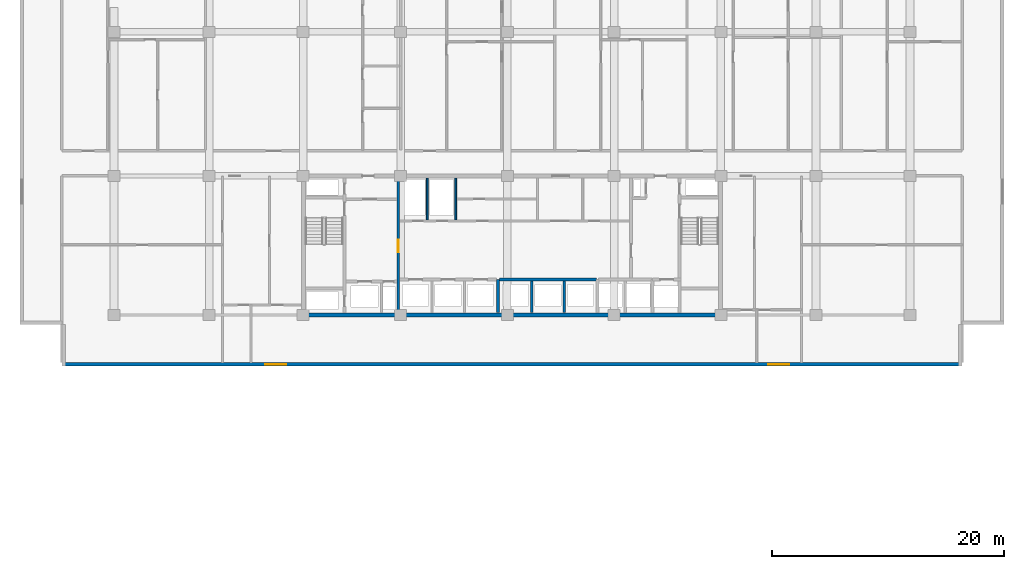
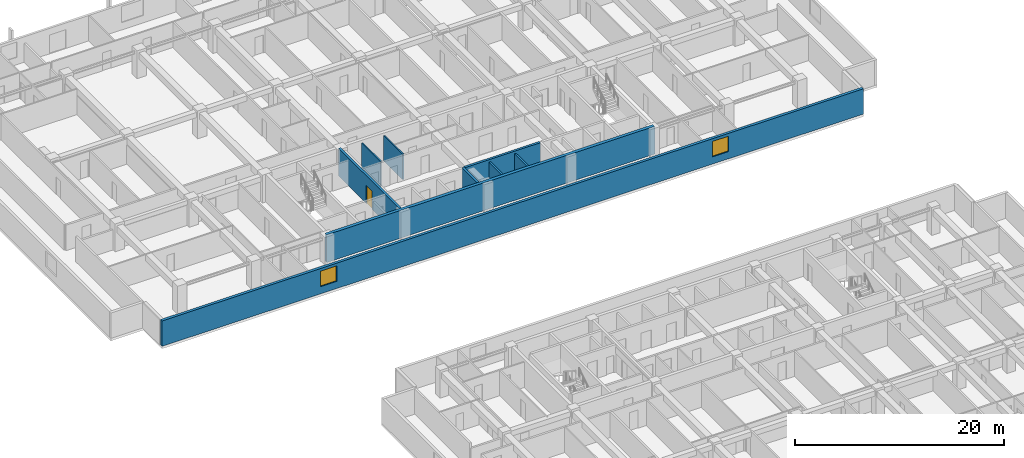
# One storey, part 11 of 23: 9 walls, 2 windows, 1 door, 3 openings.
"""IFC4 building model written with IfcOpenShell, lengths in metres."""

from ifc_helpers import new_model, si_unit, direction, frame, frame_2d, origin, place, context, subcontext, project, spatial, rectangle, extrude, material, layer, layer_set, type_object, element, fill, save


model = new_model("IFC4")

# Units and contexts
model_context = context("Model", 3, precision=1e-05, world=origin(), true_north=direction((0.0, 1.0)))
body_context = subcontext(model_context, "Body", "Model", "MODEL_VIEW")
ifc_project = project(units=[si_unit("LENGTHUNIT", "METRE"), si_unit("AREAUNIT", "SQUARE_METRE"), si_unit("VOLUMEUNIT", "CUBIC_METRE"), si_unit("PLANEANGLEUNIT", "RADIAN"), si_unit("MASSUNIT", "GRAM", prefix="KILO")], contexts=[model_context])

# Site, building, storey
site_placement = place(None, origin())
site = spatial("IfcSite", under=ifc_project, at=site_placement, CompositionType="ELEMENT")
building_placement = place(site_placement, origin())
building = spatial("IfcBuilding", under=site, at=building_placement, Name="Korimba Cascade Residences", CompositionType="ELEMENT")
storey_placement = place(building_placement, frame((0.0, 0.0, 33.75)))
storey = spatial("IfcBuildingStorey", under=building, at=storey_placement, Name="L08", CompositionType="ELEMENT", Elevation=33.75)

# Wall, openings, windows
ifc_material_1 = material(Name="Precast concrete C40/50", Category="concrete")
ifc_layer_1 = layer(ifc_material_1, 0.300048828125)
ifc_layer_set_1 = layer_set([ifc_layer_1], Name="Precast concrete C40/50")
wall_type_1 = type_object("IfcWallType", Name="EW-STONE-300", PredefinedType="STANDARD", material=ifc_layer_set_1)
wall_1_placement = place(storey_placement, frame((55.300048828125, 50.949951171875, 0.0), z_axis=(0.0, 0.0, 1.0), x_axis=(1.0, 0.0, 0.0)))
wall_1 = element("IfcWall", 1, at=wall_1_placement, inside=storey, type_object=wall_type_1, Name="L08 T1 Perimeter Stone Wall E00", PredefinedType="STANDARD", context=body_context, shape_type="SweptSolid", body=[
    extrude(rectangle(XDim=77.599853515625, YDim=0.300048828125, at=frame_2d((38.7998046875, 0.0))), origin(), (0.0, 0.0, 1.0), 2.969970703125),
])
opening_1_placement = place(wall_1_placement, frame((17.52490234375, 0.0, 0.85009765625)))
opening_1 = element("IfcOpeningElement", 2, at=opening_1_placement, cuts=wall_1, Name="Opening W-02", PredefinedType="OPENING", context=body_context, shape_type="SweptSolid", body=[
    extrude(rectangle(XDim=1.800048828125, YDim=1.800048828125, at=frame_2d((0.89990234375, 0.89990234375))), frame((0.0, 0.16015625, 0.0), z_axis=(0.0, -1.0, 0.0), x_axis=(1.0, 0.0, 0.0)), (0.0, 0.0, 1.0), 0.320068359375),
])
opening_2_placement = place(wall_1_placement, frame((60.875, 0.0, 0.85009765625)))
opening_2 = element("IfcOpeningElement", 3, at=opening_2_placement, cuts=wall_1, Name="Opening W-02", PredefinedType="OPENING", context=body_context, shape_type="SweptSolid", body=[
    extrude(rectangle(XDim=1.800048828125, YDim=1.800048828125, at=frame_2d((0.89990234375, 0.89990234375))), frame((0.0, 0.16015625, 0.0), z_axis=(0.0, -1.0, 0.0), x_axis=(1.0, 0.0, 0.0)), (0.0, 0.0, 1.0), 0.320068359375),
])
ifc_material_2 = material(Name="Double-Glazed Aluminium Window", Category="aluminium")
window_type = type_object("IfcWindowType", Name="WIN-BED-1800", PartitioningType="SINGLE_PANEL", PredefinedType="WINDOW", material=ifc_material_2)
window_1_placement = place(opening_1_placement, origin())
window_1 = element("IfcWindow", 4, at=window_1_placement, inside=storey, type_object=window_type, Name="L08 T1 South Corner Bedroom Window 1", OverallHeight=1.800048828125, OverallWidth=1.800048828125, PartitioningType="SINGLE_PANEL", PredefinedType="WINDOW", context=body_context, shape_type="SweptSolid", body=[
    extrude(rectangle(XDim=1.800048828125, YDim=1.800048828125, at=frame_2d((0.89990234375, 0.89990234375))), frame((0.0, 0.030029296875, 0.0), z_axis=(0.0, -1.0, 0.0), x_axis=(1.0, 0.0, 0.0)), (0.0, 0.0, 1.0), 0.06005859375),
])
fill(opening_1, window_1)
window_2_placement = place(opening_2_placement, origin())
window_2 = element("IfcWindow", 5, at=window_2_placement, inside=storey, type_object=window_type, Name="L08 T1 South Corner Bedroom Window 2", OverallHeight=1.800048828125, OverallWidth=1.800048828125, PartitioningType="SINGLE_PANEL", PredefinedType="WINDOW", context=body_context, shape_type="SweptSolid", body=[
    extrude(rectangle(XDim=1.800048828125, YDim=1.800048828125, at=frame_2d((0.89990234375, 0.89990234375))), frame((0.0, 0.030029296875, 0.0), z_axis=(0.0, -1.0, 0.0), x_axis=(1.0, 0.0, 0.0)), (0.0, 0.0, 1.0), 0.06005859375),
])
fill(opening_2, window_2)

# Walls
ifc_material_3 = material(Name="Concrete C65/80", Category="concrete")
ifc_layer_2 = layer(ifc_material_3, 0.35009765625)
ifc_layer_set_2 = layer_set([ifc_layer_2], Name="Concrete C65/80")
wall_type_2 = type_object("IfcWallType", Name="WAL-CORE-350", PredefinedType="SHEAR", material=ifc_layer_set_2)
wall_2_placement = place(storey_placement, frame((75.949951171875, 55.199951171875, 0.0), z_axis=(0.0, 0.0, 1.0), x_axis=(1.0, 0.0, 0.0)))
element("IfcWall", 6, at=wall_2_placement, inside=storey, type_object=wall_type_2, Name="L08 Core Shear Wall CW-L08-T1-S", PredefinedType="SHEAR", context=body_context, shape_type="SweptSolid", body=[
    extrude(rectangle(XDim=36.300048828125, YDim=0.35009765625, at=frame_2d((18.14990234375, 0.0))), origin(), (0.0, 0.0, 1.0), 3.25),
])
ifc_material_4 = material(Name="Insulated Acoustic Stud Partition", Category="gypsum")
ifc_layer_3 = layer(ifc_material_4, 0.14990234375)
ifc_layer_set_3 = layer_set([ifc_layer_3], Name="Insulated Acoustic Stud Partition")
wall_type_3 = type_object("IfcWallType", Name="WAL-PART-150", PredefinedType="PARTITIONING", material=ifc_layer_set_3)
for number, where, z_axis, x_axis, name in (
    (7, (86.800048828125, 63.39990234375, 0.0), (0.0, 0.0, 1.0), (0.0, 1.0, 0.0), "L08 Partition Wall CW-L08-T1-ERDIV"),
    (8, (89.25, 63.39990234375, 0.0), (0.0, 0.0, 1.0), (0.0, 1.0, 0.0), "L08 Partition Wall CW-L08-T1-PRDIV"),
):
    element("IfcWall", number, at=place(storey_placement, frame(where, z_axis=z_axis, x_axis=x_axis)), inside=storey, type_object=wall_type_3, Name=name, PredefinedType="PARTITIONING", context=body_context, shape_type="SweptSolid", body=[
        extrude(rectangle(XDim=3.60009765625, YDim=0.14990234375, at=frame_2d((1.800048828125, 0.0))), origin(), (0.0, 0.0, 1.0), 2.969970703125),
    ])
ifc_material_5 = material(Name="Concrete C40/50", Category="concrete")
ifc_layer_4 = layer(ifc_material_5, 0.199951171875)
ifc_layer_set_4 = layer_set([ifc_layer_4], Name="Concrete C40/50")
wall_type_4 = type_object("IfcWallType", Name="WAL-PART-200", PredefinedType="PARTITIONING", material=ifc_layer_set_4)
for number, where, z_axis, x_axis, name in (
    (9, (95.800048828125, 55.39990234375, 0.0), (0.0, 0.0, 1.0), (0.0, 1.0, 0.0), "L08 Partition Wall CW-L08-T1-B2D1"),
    (10, (98.60009765625, 55.39990234375, 0.0), (0.0, 0.0, 1.0), (0.0, 1.0, 0.0), "L08 Partition Wall CW-L08-T1-B2D2"),
):
    element("IfcWall", number, at=place(storey_placement, frame(where, z_axis=z_axis, x_axis=x_axis)), inside=storey, type_object=wall_type_4, Name=name, PredefinedType="PARTITIONING", context=body_context, shape_type="SweptSolid", body=[
        extrude(rectangle(XDim=2.72021484375, YDim=0.199951171875, at=frame_2d((1.360107421875, 0.0))), origin(), (0.0, 0.0, 1.0), 2.969970703125),
    ])

# Wall, opening, door
ifc_material_6 = material(Name="Concrete C50/60", Category="concrete")
ifc_layer_5 = layer(ifc_material_6, 0.25)
ifc_layer_set_5 = layer_set([ifc_layer_5], Name="Concrete C50/60")
wall_type_5 = type_object("IfcWallType", Name="WAL-SHAFT-250", PredefinedType="SHEAR", material=ifc_layer_set_5)
wall_3_placement = place(storey_placement, frame((84.300048828125, 55.39990234375, 0.0), z_axis=(0.0, 0.0, 1.0), x_axis=(0.0, 1.0, 0.0)))
wall_3 = element("IfcWall", 11, at=wall_3_placement, inside=storey, type_object=wall_type_5, Name="L08 Core Shear Wall CW-L08-T1-FFLE", PredefinedType="SHEAR", context=body_context, shape_type="SweptSolid", body=[
    extrude(rectangle(XDim=11.60009765625, YDim=0.25, at=frame_2d((5.800048828125, 0.0))), origin(), (0.0, 0.0, 1.0), 3.25),
])
opening_3_placement = place(wall_3_placement, frame((5.199951171875, 0.0, 0.0)))
opening_3 = element("IfcOpeningElement", 12, at=opening_3_placement, cuts=wall_3, Name="Opening D-FD1", PredefinedType="OPENING", context=body_context, shape_type="SweptSolid", body=[
    extrude(rectangle(XDim=1.10009765625, YDim=2.10009765625, at=frame_2d((0.550048828125, 1.050048828125))), frame((0.0, 0.135009765625, 0.0), z_axis=(0.0, -1.0, 0.0), x_axis=(1.0, 0.0, 0.0)), (0.0, 0.0, 1.0), 0.27001953125),
])
ifc_material_7 = material(Name="Fire-Rated Steel Core Door", Category="steel")
door_type = type_object("IfcDoorType", Name="DR-FD120-1100", OperationType="NOTDEFINED", PredefinedType="DOOR", material=ifc_material_7)
door_placement = place(opening_3_placement, origin())
door = element("IfcDoor", 13, at=door_placement, inside=storey, type_object=door_type, Name="L08 Firefighting Lobby to Lift Lobby Door", OperationType="SINGLE_SWING_LEFT", OverallHeight=2.10009765625, OverallWidth=1.10009765625, PredefinedType="DOOR", context=body_context, shape_type="SweptSolid", body=[
    extrude(rectangle(XDim=1.10009765625, YDim=2.10009765625, at=frame_2d((0.550048828125, 1.050048828125))), frame((0.0, 0.02490234375, 0.0), z_axis=(0.0, -1.0, 0.0), x_axis=(1.0, 0.0, 0.0)), (0.0, 0.0, 1.0), 0.050048828125),
])
fill(opening_3, door)

# Walls
wall_4_placement = place(storey_placement, frame((92.89990234375, 55.39990234375, 0.0), z_axis=(0.0, 0.0, 1.0), x_axis=(0.0, 1.0, 0.0)))
element("IfcWall", 14, at=wall_4_placement, inside=storey, type_object=wall_type_5, Name="L08 Core Shear Wall CW-L08-T1-B12DIV", PredefinedType="SHEAR", context=body_context, shape_type="SweptSolid", body=[
    extrude(rectangle(XDim=2.85009765625, YDim=0.25, at=frame_2d((1.425048828125, 0.0))), origin(), (0.0, 0.0, 1.0), 3.25),
])
wall_5_placement = place(storey_placement, frame((93.02001953125, 58.25, 0.0), z_axis=(0.0, 0.0, 1.0), x_axis=(1.0, 0.0, 0.0)))
element("IfcWall", 15, at=wall_5_placement, inside=storey, type_object=wall_type_5, Name="L08 Core Shear Wall CW-L08-T1-B2N", PredefinedType="SHEAR", context=body_context, shape_type="SweptSolid", body=[
    extrude(rectangle(XDim=8.35986328125, YDim=0.25, at=frame_2d((4.179931640625, 0.0))), origin(), (0.0, 0.0, 1.0), 3.25),
])

save(model, "model.ifc")
